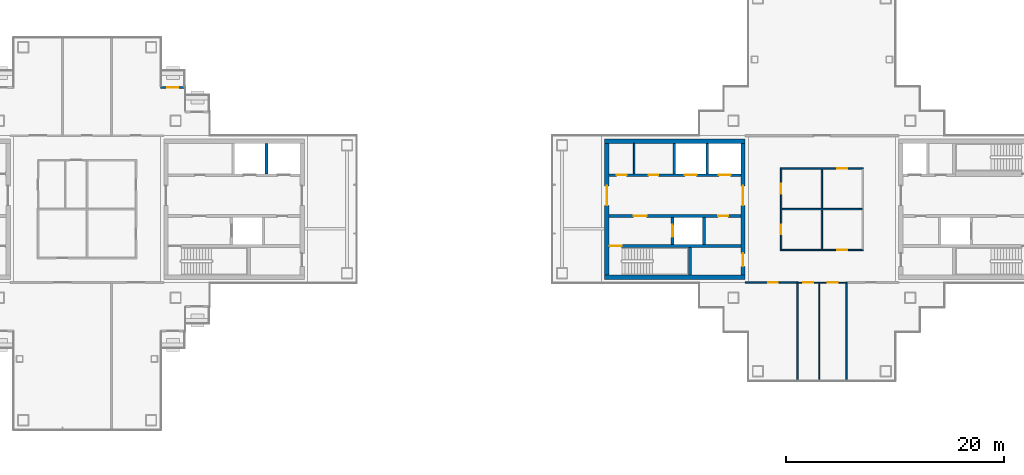
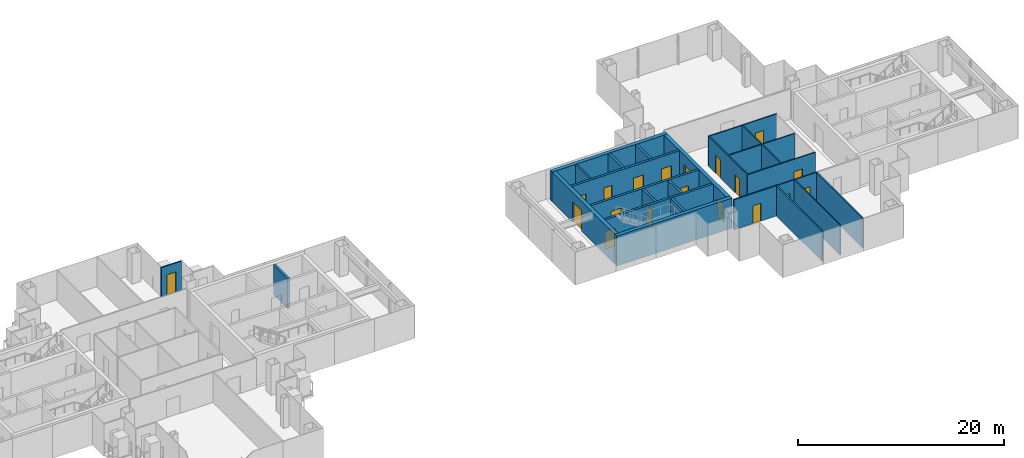
# One storey, part 10 of 15: 25 walls, 19 doors, 19 openings.
"""IFC4 building model written with IfcOpenShell, lengths in metres."""

from ifc_helpers import new_model, si_unit, direction, frame, frame_2d, origin, place, context, subcontext, project, spatial, rectangle, extrude, material, layer, layer_set, type_object, element, fill, save


model = new_model("IFC4")

# Units and contexts
model_context = context("Model", 3, precision=1e-05, world=origin(), true_north=direction((0.0, 1.0)))
body_context = subcontext(model_context, "Body", "Model", "MODEL_VIEW")
ifc_project = project(units=[si_unit("LENGTHUNIT", "METRE"), si_unit("AREAUNIT", "SQUARE_METRE"), si_unit("VOLUMEUNIT", "CUBIC_METRE"), si_unit("PLANEANGLEUNIT", "RADIAN"), si_unit("MASSUNIT", "GRAM", prefix="KILO")], contexts=[model_context])

# Site, building, storey
site_placement = place(None, origin())
site = spatial("IfcSite", under=ifc_project, at=site_placement, CompositionType="ELEMENT")
building_placement = place(site_placement, origin())
building = spatial("IfcBuilding", under=site, at=building_placement, Name="Shamsa Quay Exchange Towers", CompositionType="ELEMENT")
storey_placement = place(building_placement, frame((0.0, 0.0, 202.199951171875)))
storey = spatial("IfcBuildingStorey", under=building, at=storey_placement, Name="L48", CompositionType="ELEMENT", Elevation=202.199951171875)

# Wall, opening, door
ifc_material_1 = material(Name="Aluminium EN AW-6063 T6, black anodised, with black enamelled glass infill", Category="aluminium")
ifc_layer_1 = layer(ifc_material_1, 0.14990234375)
ifc_layer_set_1 = layer_set([ifc_layer_1], Name="BALCONY DOOR BAY WALL 150")
wall_type_1 = type_object("IfcWallType", Name="BALCONY DOOR BAY WALL 150", PredefinedType="SOLIDWALL", material=ifc_layer_set_1)
wall_1_placement = place(storey_placement, frame((-27.0, 11.175048828125, 0.0)))
wall_1 = element("IfcWall", 1, at=wall_1_placement, inside=storey, type_object=wall_type_1, Name="Door bay T1-PKEN L48", PredefinedType="SOLIDWALL", context=body_context, shape_type="SweptSolid", body=[
    extrude(rectangle(XDim=2.25, YDim=0.14990234375, at=frame_2d((1.125, 0.0))), origin(), (0.0, 0.0, 1.0), 3.449951171875),
])
opening_1_placement = place(wall_1_placement, frame((0.625, 0.0, 0.0)))
opening_1 = element("IfcOpeningElement", 2, at=opening_1_placement, cuts=wall_1, Name="Opening XD314", PredefinedType="OPENING", context=body_context, shape_type="SweptSolid", body=[
    extrude(rectangle(XDim=1.0, YDim=2.39990234375, at=frame_2d((0.5, 1.199951171875))), frame((0.0, 0.0849609375, 0.0), z_axis=(0.0, -1.0, 0.0), x_axis=(1.0, 0.0, 0.0)), (0.0, 0.0, 1.0), 0.169921875),
])
ifc_material_2 = material(Name="Aluminium EN AW-6063 T6, black anodised, with laminated glass leaf", Category="aluminium")
door_type_1 = type_object("IfcDoorType", Name="BALCONY DOOR 1000x2400", OperationType="SINGLE_SWING_LEFT", PredefinedType="DOOR", material=ifc_material_2)
door_1_placement = place(opening_1_placement, origin())
door_1 = element("IfcDoor", 3, at=door_1_placement, inside=storey, type_object=door_type_1, Name="Balcony door T1-PKEN L48", OperationType="SINGLE_SWING_LEFT", OverallHeight=2.39990234375, OverallWidth=1.0, PredefinedType="DOOR", context=body_context, shape_type="SweptSolid", body=[
    extrude(rectangle(XDim=1.0, YDim=2.39990234375, at=frame_2d((0.5, 1.199951171875))), frame((0.0, 0.02490234375, 0.0), z_axis=(0.0, -1.0, 0.0), x_axis=(1.0, 0.0, 0.0)), (0.0, 0.0, 1.0), 0.050048828125),
])
fill(opening_1, door_1)

# Walls
ifc_material_3 = material(Name="Concrete C60/75", Category="concrete")
ifc_layer_2 = layer(ifc_material_3, 0.39990234375)
ifc_layer_set_2 = layer_set([ifc_layer_2], Name="CORE WALL 400 C60/75")
wall_type_2 = type_object("IfcWallType", Name="CORE WALL 400 C60/75", PredefinedType="SHEAR", material=ifc_layer_set_2)
for number, where, name in (
    (4, (13.800048828125, -6.25, 0.0), "Core wall T2A-R22-PS"),
    (5, (13.800048828125, 6.25, 0.0), "Core wall T2A-R22-PN"),
):
    element("IfcWall", number, at=place(storey_placement, frame(where)), inside=storey, type_object=wall_type_2, Name=name, PredefinedType="SHEAR", context=body_context, shape_type="SweptSolid", body=[
        extrude(rectangle(XDim=12.89990234375, YDim=0.39990234375, at=frame_2d((6.449951171875, 0.0))), origin(), (0.0, 0.0, 1.0), 3.550048828125),
    ])

# Wall, opening, door
wall_2_placement = place(storey_placement, frame((14.0, 6.050048828125, 0.0), z_axis=(0.0, 0.0, 1.0), x_axis=(0.0, -1.0, 0.0)))
wall_2 = element("IfcWall", 6, at=wall_2_placement, inside=storey, type_object=wall_type_2, Name="Core wall T2A-R22-PF", PredefinedType="SHEAR", context=body_context, shape_type="SweptSolid", body=[
    extrude(rectangle(XDim=12.10009765625, YDim=0.39990234375, at=frame_2d((6.050048828125, 0.0))), origin(), (0.0, 0.0, 1.0), 3.550048828125),
])
opening_2_placement = place(wall_2_placement, frame((3.89990234375, 0.0, 0.0)))
opening_2 = element("IfcOpeningElement", 7, at=opening_2_placement, cuts=wall_2, Name="Opening T2A-R22-LBD01", PredefinedType="OPENING", context=body_context, shape_type="SweptSolid", body=[
    extrude(rectangle(XDim=1.800048828125, YDim=2.39990234375, at=frame_2d((0.89990234375, 1.199951171875))), frame((0.0, 0.2099609375, 0.0), z_axis=(0.0, -1.0, 0.0), x_axis=(1.0, 0.0, 0.0)), (0.0, 0.0, 1.0), 0.419921875),
])
ifc_material_4 = material(Name="Steel, fire rated", Category="steel")
door_type_2 = type_object("IfcDoorType", Name="LIFT LOBBY DOOR PAIR 1800", OperationType="DOUBLE_DOOR_SINGLE_SWING", PredefinedType="DOOR", material=ifc_material_4)
door_2_placement = place(opening_2_placement, origin())
door_2 = element("IfcDoor", 8, at=door_2_placement, inside=storey, type_object=door_type_2, Name="T2A-R22-LBD01", OperationType="DOUBLE_DOOR_SINGLE_SWING", OverallHeight=2.39990234375, OverallWidth=1.800048828125, PredefinedType="DOOR", context=body_context, shape_type="SweptSolid", body=[
    extrude(rectangle(XDim=1.800048828125, YDim=2.39990234375, at=frame_2d((0.89990234375, 1.199951171875))), frame((0.0, 0.02490234375, 0.0), z_axis=(0.0, -1.0, 0.0), x_axis=(1.0, 0.0, 0.0)), (0.0, 0.0, 1.0), 0.050048828125),
])
fill(opening_2, door_2)

# Wall, openings, doors
wall_3_placement = place(storey_placement, frame((26.5, 6.050048828125, 0.0), z_axis=(0.0, 0.0, 1.0), x_axis=(0.0, -1.0, 0.0)))
wall_3 = element("IfcWall", 9, at=wall_3_placement, inside=storey, type_object=wall_type_2, Name="Core wall T2A-R22-PB", PredefinedType="SHEAR", context=body_context, shape_type="SweptSolid", body=[
    extrude(rectangle(XDim=12.10009765625, YDim=0.39990234375, at=frame_2d((6.050048828125, 0.0))), origin(), (0.0, 0.0, 1.0), 3.550048828125),
])
opening_3_placement = place(wall_3_placement, frame((10.10009765625, 0.0, 0.0)))
opening_3 = element("IfcOpeningElement", 10, at=opening_3_placement, cuts=wall_3, Name="Opening T2A-R22-RD02", PredefinedType="OPENING", context=body_context, shape_type="SweptSolid", body=[
    extrude(rectangle(XDim=1.199951171875, YDim=2.10009765625, at=frame_2d((0.60009765625, 1.050048828125))), frame((0.0, 0.2099609375, 0.0), z_axis=(0.0, -1.0, 0.0), x_axis=(1.0, 0.0, 0.0)), (0.0, 0.0, 1.0), 0.419921875),
])
opening_4_placement = place(wall_3_placement, frame((3.89990234375, 0.0, 0.0)))
opening_4 = element("IfcOpeningElement", 11, at=opening_4_placement, cuts=wall_3, Name="Opening T2A-R22-LBD03", PredefinedType="OPENING", context=body_context, shape_type="SweptSolid", body=[
    extrude(rectangle(XDim=1.800048828125, YDim=2.39990234375, at=frame_2d((0.89990234375, 1.199951171875))), frame((0.0, 0.2099609375, 0.0), z_axis=(0.0, -1.0, 0.0), x_axis=(1.0, 0.0, 0.0)), (0.0, 0.0, 1.0), 0.419921875),
])
door_3_placement = place(opening_4_placement, origin())
door_3 = element("IfcDoor", 12, at=door_3_placement, inside=storey, type_object=door_type_2, Name="T2A-R22-LBD03", OperationType="DOUBLE_DOOR_SINGLE_SWING", OverallHeight=2.39990234375, OverallWidth=1.800048828125, PredefinedType="DOOR", context=body_context, shape_type="SweptSolid", body=[
    extrude(rectangle(XDim=1.800048828125, YDim=2.39990234375, at=frame_2d((0.89990234375, 1.199951171875))), frame((0.0, 0.02490234375, 0.0), z_axis=(0.0, -1.0, 0.0), x_axis=(1.0, 0.0, 0.0)), (0.0, 0.0, 1.0), 0.050048828125),
])
fill(opening_4, door_3)
door_type_3 = type_object("IfcDoorType", Name="RISER ACCESS DOOR 1200", OperationType="SINGLE_SWING_LEFT", PredefinedType="DOOR", material=ifc_material_4)
door_4_placement = place(opening_3_placement, origin())
door_4 = element("IfcDoor", 13, at=door_4_placement, inside=storey, type_object=door_type_3, Name="T2A-R22-RD02", OperationType="SINGLE_SWING_RIGHT", OverallHeight=2.10009765625, OverallWidth=1.199951171875, PredefinedType="DOOR", context=body_context, shape_type="SweptSolid", body=[
    extrude(rectangle(XDim=1.199951171875, YDim=2.10009765625, at=frame_2d((0.60009765625, 1.050048828125))), frame((0.0, 0.02490234375, 0.0), z_axis=(0.0, -1.0, 0.0), x_axis=(1.0, 0.0, 0.0)), (0.0, 0.0, 1.0), 0.050048828125),
])
fill(opening_3, door_4)

# Wall
ifc_material_5 = material(Name="Gypsum board on steel studs, EI 60", Category="steel")
ifc_layer_3 = layer(ifc_material_5, 0.14990234375)
ifc_layer_set_3 = layer_set([ifc_layer_3], Name="FIRE PARTITION 150")
wall_type_3 = type_object("IfcWallType", Name="FIRE PARTITION 150", PredefinedType="PARTITIONING", material=ifc_layer_set_3)
wall_4_placement = place(storey_placement, frame((16.5, 3.25, 0.0), z_axis=(0.0, 0.0, 1.0), x_axis=(0.0, 1.0, 0.0)))
element("IfcWall", 14, at=wall_4_placement, inside=storey, type_object=wall_type_3, Name="Partition T2A-R22-FC0", PredefinedType="PARTITIONING", context=body_context, shape_type="SweptSolid", body=[
    extrude(rectangle(XDim=2.800048828125, YDim=0.14990234375, at=frame_2d((1.39990234375, 0.0))), origin(), (0.0, 0.0, 1.0), 3.550048828125),
])

# Wall, openings, doors
ifc_material_6 = material(Name="Laminated fire-resisting glass in a metal frame", Category="glass")
ifc_layer_4 = layer(ifc_material_6, 0.125)
ifc_layer_set_4 = layer_set([ifc_layer_4], Name="Glazed partition 125 mm EI 60")
wall_type_4 = type_object("IfcWallType", Name="Glazed partition 125 mm EI 60", PredefinedType="PARTITIONING", material=ifc_layer_set_4)
wall_5_placement = place(storey_placement, frame((30.0, 3.6875, 0.0), z_axis=(0.0, 0.0, 1.0), x_axis=(0.0, -1.0, 0.0)))
wall_5 = element("IfcWall", 15, at=wall_5_placement, inside=storey, type_object=wall_type_4, Name="Partition T2-R22-W01", PredefinedType="PARTITIONING", context=body_context, shape_type="SweptSolid", body=[
    extrude(rectangle(XDim=7.375, YDim=0.125, at=frame_2d((3.6875, 0.0))), origin(), (0.0, 0.0, 1.0), 3.550048828125),
])
opening_5_placement = place(wall_5_placement, frame((5.112548828125, 0.0, 0.0)))
opening_5 = element("IfcOpeningElement", 16, at=opening_5_placement, cuts=wall_5, Name="Opening T2-R22-D06", PredefinedType="OPENING", context=body_context, shape_type="SweptSolid", body=[
    extrude(rectangle(XDim=0.89990234375, YDim=2.10009765625, at=frame_2d((0.449951171875, 1.050048828125))), frame((0.0, 0.072509765625, 0.0), z_axis=(0.0, -1.0, 0.0), x_axis=(1.0, 0.0, 0.0)), (0.0, 0.0, 1.0), 0.14501953125),
])
opening_6_placement = place(wall_5_placement, frame((1.362548828125, 0.0, 0.0)))
opening_6 = element("IfcOpeningElement", 17, at=opening_6_placement, cuts=wall_5, Name="Opening T2-R22-D07", PredefinedType="OPENING", context=body_context, shape_type="SweptSolid", body=[
    extrude(rectangle(XDim=0.89990234375, YDim=2.10009765625, at=frame_2d((0.449951171875, 1.050048828125))), frame((0.0, 0.072509765625, 0.0), z_axis=(0.0, -1.0, 0.0), x_axis=(1.0, 0.0, 0.0)), (0.0, 0.0, 1.0), 0.14501953125),
])
ifc_material_7 = material(Name="Timber door leaf in a metal frame", Category="wood")
door_type_4 = type_object("IfcDoorType", Name="Door 900x2100 FD30S", OperationType="NOTDEFINED", PredefinedType="DOOR", material=ifc_material_7)
door_5_placement = place(opening_5_placement, origin())
door_5 = element("IfcDoor", 18, at=door_5_placement, inside=storey, type_object=door_type_4, Name="Door T2-R22-D06", OperationType="SINGLE_SWING_LEFT", OverallHeight=2.10009765625, OverallWidth=0.89990234375, PredefinedType="DOOR", context=body_context, shape_type="SweptSolid", body=[
    extrude(rectangle(XDim=0.89990234375, YDim=2.10009765625, at=frame_2d((0.449951171875, 1.050048828125))), frame((0.0, 0.02490234375, 0.0), z_axis=(0.0, -1.0, 0.0), x_axis=(1.0, 0.0, 0.0)), (0.0, 0.0, 1.0), 0.050048828125),
])
fill(opening_5, door_5)
door_6_placement = place(opening_6_placement, origin())
door_6 = element("IfcDoor", 19, at=door_6_placement, inside=storey, type_object=door_type_4, Name="Door T2-R22-D07", OperationType="SINGLE_SWING_LEFT", OverallHeight=2.10009765625, OverallWidth=0.89990234375, PredefinedType="DOOR", context=body_context, shape_type="SweptSolid", body=[
    extrude(rectangle(XDim=0.89990234375, YDim=2.10009765625, at=frame_2d((0.449951171875, 1.050048828125))), frame((0.0, 0.02490234375, 0.0), z_axis=(0.0, -1.0, 0.0), x_axis=(1.0, 0.0, 0.0)), (0.0, 0.0, 1.0), 0.050048828125),
])
fill(opening_6, door_6)

# Wall, opening, door
wall_6_placement = place(storey_placement, frame((37.5625, 3.75, 0.0), z_axis=(0.0, 0.0, 1.0), x_axis=(-1.0, 0.0, 0.0)))
wall_6 = element("IfcWall", 20, at=wall_6_placement, inside=storey, type_object=wall_type_4, Name="Partition T2-R22-W02", PredefinedType="PARTITIONING", context=body_context, shape_type="SweptSolid", body=[
    extrude(rectangle(XDim=7.625, YDim=0.125, at=frame_2d((3.8125, 0.0))), origin(), (0.0, 0.0, 1.0), 3.550048828125),
])
opening_7_placement = place(wall_6_placement, frame((1.487548828125, 0.0, 0.0)))
opening_7 = element("IfcOpeningElement", 21, at=opening_7_placement, cuts=wall_6, Name="Opening T2-R22-D08", PredefinedType="OPENING", context=body_context, shape_type="SweptSolid", body=[
    extrude(rectangle(XDim=0.89990234375, YDim=2.10009765625, at=frame_2d((0.449951171875, 1.050048828125))), frame((0.0, 0.072509765625, 0.0), z_axis=(0.0, -1.0, 0.0), x_axis=(1.0, 0.0, 0.0)), (0.0, 0.0, 1.0), 0.14501953125),
])
door_7_placement = place(opening_7_placement, origin())
door_7 = element("IfcDoor", 22, at=door_7_placement, inside=storey, type_object=door_type_4, Name="Door T2-R22-D08", OperationType="SINGLE_SWING_LEFT", OverallHeight=2.10009765625, OverallWidth=0.89990234375, PredefinedType="DOOR", context=body_context, shape_type="SweptSolid", body=[
    extrude(rectangle(XDim=0.89990234375, YDim=2.10009765625, at=frame_2d((0.449951171875, 1.050048828125))), frame((0.0, 0.02490234375, 0.0), z_axis=(0.0, -1.0, 0.0), x_axis=(1.0, 0.0, 0.0)), (0.0, 0.0, 1.0), 0.050048828125),
])
fill(opening_7, door_7)

wall_7_placement = place(storey_placement, frame((29.9375, -3.75, 0.0)))
wall_7 = element("IfcWall", 23, at=wall_7_placement, inside=storey, type_object=wall_type_4, Name="Partition T2-R22-W03", PredefinedType="PARTITIONING", context=body_context, shape_type="SweptSolid", body=[
    extrude(rectangle(XDim=7.625, YDim=0.125, at=frame_2d((3.8125, 0.0))), origin(), (0.0, 0.0, 1.0), 3.550048828125),
])
opening_8_placement = place(wall_7_placement, frame((5.237548828125, 0.0, 0.0)))
opening_8 = element("IfcOpeningElement", 24, at=opening_8_placement, cuts=wall_7, Name="Opening T2-R22-D02", PredefinedType="OPENING", context=body_context, shape_type="SweptSolid", body=[
    extrude(rectangle(XDim=0.89990234375, YDim=2.10009765625, at=frame_2d((0.449951171875, 1.050048828125))), frame((0.0, 0.072509765625, 0.0), z_axis=(0.0, -1.0, 0.0), x_axis=(1.0, 0.0, 0.0)), (0.0, 0.0, 1.0), 0.14501953125),
])
door_8_placement = place(opening_8_placement, origin())
door_8 = element("IfcDoor", 25, at=door_8_placement, inside=storey, type_object=door_type_4, Name="Door T2-R22-D02", OperationType="SINGLE_SWING_RIGHT", OverallHeight=2.10009765625, OverallWidth=0.89990234375, PredefinedType="DOOR", context=body_context, shape_type="SweptSolid", body=[
    extrude(rectangle(XDim=0.89990234375, YDim=2.10009765625, at=frame_2d((0.449951171875, 1.050048828125))), frame((0.0, 0.02490234375, 0.0), z_axis=(0.0, -1.0, 0.0), x_axis=(1.0, 0.0, 0.0)), (0.0, 0.0, 1.0), 0.050048828125),
])
fill(opening_8, door_8)

# Walls
wall_8_placement = place(storey_placement, frame((30.0625, 0.0, 0.0)))
element("IfcWall", 26, at=wall_8_placement, inside=storey, type_object=wall_type_4, Name="Partition T2-R22-W09", PredefinedType="PARTITIONING", context=body_context, shape_type="SweptSolid", body=[
    extrude(rectangle(XDim=7.375, YDim=0.125, at=frame_2d((3.6875, 0.0))), origin(), (0.0, 0.0, 1.0), 3.550048828125),
])
wall_9_placement = place(storey_placement, frame((33.75, -3.6875, 0.0), z_axis=(0.0, 0.0, 1.0), x_axis=(0.0, 1.0, 0.0)))
element("IfcWall", 27, at=wall_9_placement, inside=storey, type_object=wall_type_4, Name="Partition T2-R22-W10", PredefinedType="PARTITIONING", context=body_context, shape_type="SweptSolid", body=[
    extrude(rectangle(XDim=7.375, YDim=0.125, at=frame_2d((3.6875, 0.0))), origin(), (0.0, 0.0, 1.0), 3.550048828125),
])

# Wall, openings, doors
ifc_material_8 = material(Name="Gypsum board partition on metal studs")
ifc_layer_5 = layer(ifc_material_8, 0.10009765625)
ifc_layer_set_5 = layer_set([ifc_layer_5], Name="Partition 100 mm NOT RATED")
wall_type_5 = type_object("IfcWallType", Name="Partition 100 mm NOT RATED", PredefinedType="PARTITIONING", material=ifc_layer_set_5)
wall_10_placement = place(storey_placement, frame((36.074951171875, -6.75, 0.0), z_axis=(0.0, 0.0, 1.0), x_axis=(-1.0, 0.0, 0.0)))
wall_10 = element("IfcWall", 28, at=wall_10_placement, inside=storey, type_object=wall_type_5, Name="Partition T2-R22-W08", PredefinedType="PARTITIONING", context=body_context, shape_type="SweptSolid", body=[
    extrude(rectangle(XDim=4.64990234375, YDim=0.10009765625, at=frame_2d((2.324951171875, 0.0))), origin(), (0.0, 0.0, 1.0), 3.550048828125),
])
opening_9_placement = place(wall_10_placement, frame((3.125, 0.0, 0.0)))
opening_9 = element("IfcOpeningElement", 29, at=opening_9_placement, cuts=wall_10, Name="Opening T2-R22-D04", PredefinedType="OPENING", context=body_context, shape_type="SweptSolid", body=[
    extrude(rectangle(XDim=0.89990234375, YDim=2.10009765625, at=frame_2d((0.449951171875, 1.050048828125))), frame((0.0, 0.06005859375, 0.0), z_axis=(0.0, -1.0, 0.0), x_axis=(1.0, 0.0, 0.0)), (0.0, 0.0, 1.0), 0.1201171875),
])
opening_10_placement = place(wall_10_placement, frame((0.875, 0.0, 0.0)))
opening_10 = element("IfcOpeningElement", 30, at=opening_10_placement, cuts=wall_10, Name="Opening T2-R22-D05", PredefinedType="OPENING", context=body_context, shape_type="SweptSolid", body=[
    extrude(rectangle(XDim=0.89990234375, YDim=2.10009765625, at=frame_2d((0.449951171875, 1.050048828125))), frame((0.0, 0.06005859375, 0.0), z_axis=(0.0, -1.0, 0.0), x_axis=(1.0, 0.0, 0.0)), (0.0, 0.0, 1.0), 0.1201171875),
])
door_type_5 = type_object("IfcDoorType", Name="Door 900x2100 NOT RATED", OperationType="NOTDEFINED", PredefinedType="DOOR", material=ifc_material_7)
door_9_placement = place(opening_9_placement, origin())
door_9 = element("IfcDoor", 31, at=door_9_placement, inside=storey, type_object=door_type_5, Name="Door T2-R22-D04", OperationType="SINGLE_SWING_RIGHT", OverallHeight=2.10009765625, OverallWidth=0.89990234375, PredefinedType="DOOR", context=body_context, shape_type="SweptSolid", body=[
    extrude(rectangle(XDim=0.89990234375, YDim=2.10009765625, at=frame_2d((0.449951171875, 1.050048828125))), frame((0.0, 0.02490234375, 0.0), z_axis=(0.0, -1.0, 0.0), x_axis=(1.0, 0.0, 0.0)), (0.0, 0.0, 1.0), 0.050048828125),
])
fill(opening_9, door_9)
door_10_placement = place(opening_10_placement, origin())
door_10 = element("IfcDoor", 32, at=door_10_placement, inside=storey, type_object=door_type_5, Name="Door T2-R22-D05", OperationType="SINGLE_SWING_LEFT", OverallHeight=2.10009765625, OverallWidth=0.89990234375, PredefinedType="DOOR", context=body_context, shape_type="SweptSolid", body=[
    extrude(rectangle(XDim=0.89990234375, YDim=2.10009765625, at=frame_2d((0.449951171875, 1.050048828125))), frame((0.0, 0.02490234375, 0.0), z_axis=(0.0, -1.0, 0.0), x_axis=(1.0, 0.0, 0.0)), (0.0, 0.0, 1.0), 0.050048828125),
])
fill(opening_10, door_10)

# Wall
wall_11_placement = place(storey_placement, frame((33.5, -6.800048828125, 0.0), z_axis=(0.0, 0.0, 1.0), x_axis=(0.0, -1.0, 0.0)))
element("IfcWall", 33, at=wall_11_placement, inside=storey, type_object=wall_type_5, Name="Partition T2-R22-W12", PredefinedType="PARTITIONING", context=body_context, shape_type="SweptSolid", body=[
    extrude(rectangle(XDim=8.85498046875, YDim=0.10009765625, at=frame_2d((4.427490234375, 0.0))), origin(), (0.0, 0.0, 1.0), 3.550048828125),
])

# Wall, opening, door
ifc_layer_6 = layer(ifc_material_8, 0.14990234375)
ifc_layer_set_6 = layer_set([ifc_layer_6], Name="Partition 150 mm EI 60")
wall_type_6 = type_object("IfcWallType", Name="Partition 150 mm EI 60", PredefinedType="PARTITIONING", material=ifc_layer_set_6)
wall_12_placement = place(storey_placement, frame((31.574951171875, -6.75, 0.0), z_axis=(0.0, 0.0, 1.0), x_axis=(-1.0, 0.0, 0.0)))
wall_12 = element("IfcWall", 34, at=wall_12_placement, inside=storey, type_object=wall_type_6, Name="Partition T2-R22-W06", PredefinedType="PARTITIONING", context=body_context, shape_type="SweptSolid", body=[
    extrude(rectangle(XDim=4.875, YDim=0.14990234375, at=frame_2d((2.4375, 0.0))), origin(), (0.0, 0.0, 1.0), 3.550048828125),
])
opening_11_placement = place(wall_12_placement, frame((1.875, 0.0, 0.0)))
opening_11 = element("IfcOpeningElement", 35, at=opening_11_placement, cuts=wall_12, Name="Opening T2-R22-D09", PredefinedType="OPENING", context=body_context, shape_type="SweptSolid", body=[
    extrude(rectangle(XDim=0.89990234375, YDim=2.10009765625, at=frame_2d((0.449951171875, 1.050048828125))), frame((0.0, 0.0849609375, 0.0), z_axis=(0.0, -1.0, 0.0), x_axis=(1.0, 0.0, 0.0)), (0.0, 0.0, 1.0), 0.169921875),
])
door_11_placement = place(opening_11_placement, origin())
door_11 = element("IfcDoor", 36, at=door_11_placement, inside=storey, type_object=door_type_4, Name="Door T2-R22-D09", OperationType="SINGLE_SWING_LEFT", OverallHeight=2.10009765625, OverallWidth=0.89990234375, PredefinedType="DOOR", context=body_context, shape_type="SweptSolid", body=[
    extrude(rectangle(XDim=0.89990234375, YDim=2.10009765625, at=frame_2d((0.449951171875, 1.050048828125))), frame((0.0, 0.02490234375, 0.0), z_axis=(0.0, -1.0, 0.0), x_axis=(1.0, 0.0, 0.0)), (0.0, 0.0, 1.0), 0.050048828125),
])
fill(opening_11, door_11)

# Walls
for number, where, z_axis, x_axis, name in (
    (37, (36.0, -6.824951171875, 0.0), (0.0, 0.0, 1.0), (0.0, -1.0, 0.0), "Partition T2-R22-W11"),
    (38, (31.5, -6.824951171875, 0.0), (0.0, 0.0, 1.0), (0.0, -1.0, 0.0), "Partition T2-R22-W13"),
):
    element("IfcWall", number, at=place(storey_placement, frame(where, z_axis=z_axis, x_axis=x_axis)), inside=storey, type_object=wall_type_6, Name=name, PredefinedType="PARTITIONING", context=body_context, shape_type="SweptSolid", body=[
        extrude(rectangle(XDim=8.830078125, YDim=0.14990234375, at=frame_2d((4.4150390625, 0.0))), origin(), (0.0, 0.0, 1.0), 3.550048828125),
    ])
ifc_material_9 = material(Name="Concrete C50/60", Category="concrete")
ifc_layer_7 = layer(ifc_material_9, 0.25)
ifc_layer_set_7 = layer_set([ifc_layer_7], Name="SHAFT WALL 250 C50/60")
wall_type_7 = type_object("IfcWallType", Name="SHAFT WALL 250 C50/60", PredefinedType="SHEAR", material=ifc_layer_set_7)
wall_13_placement = place(storey_placement, frame((-17.27490234375, 3.25, 0.0), z_axis=(0.0, 0.0, 1.0), x_axis=(0.0, 1.0, 0.0)))
element("IfcWall", 39, at=wall_13_placement, inside=storey, type_object=wall_type_7, Name="Shaft wall T1A-R22-D2", PredefinedType="SHEAR", context=body_context, shape_type="SweptSolid", body=[
    extrude(rectangle(XDim=2.800048828125, YDim=0.25, at=frame_2d((1.39990234375, 0.0))), origin(), (0.0, 0.0, 1.0), 3.550048828125),
])

# Wall, opening, door
wall_14_placement = place(storey_placement, frame((26.300048828125, -3.375, 0.0), z_axis=(0.0, 0.0, 1.0), x_axis=(-1.0, 0.0, 0.0)))
wall_14 = element("IfcWall", 40, at=wall_14_placement, inside=storey, type_object=wall_type_7, Name="Shaft wall T2A-R22-STL", PredefinedType="SHEAR", context=body_context, shape_type="SweptSolid", body=[
    extrude(rectangle(XDim=12.10009765625, YDim=0.25, at=frame_2d((6.050048828125, 0.0))), origin(), (0.0, 0.0, 1.0), 3.550048828125),
])
opening_12_placement = place(wall_14_placement, frame((10.949951171875, 0.0, 0.0)))
opening_12 = element("IfcOpeningElement", 41, at=opening_12_placement, cuts=wall_14, Name="Opening T2A-R22-SD04", PredefinedType="OPENING", context=body_context, shape_type="SweptSolid", body=[
    extrude(rectangle(XDim=1.10009765625, YDim=2.10009765625, at=frame_2d((0.550048828125, 1.050048828125))), frame((0.0, 0.135009765625, 0.0), z_axis=(0.0, -1.0, 0.0), x_axis=(1.0, 0.0, 0.0)), (0.0, 0.0, 1.0), 0.27001953125),
])
door_type_6 = type_object("IfcDoorType", Name="STAIR DOOR 1100", OperationType="SINGLE_SWING_LEFT", PredefinedType="DOOR", material=ifc_material_4)
door_12_placement = place(opening_12_placement, origin())
door_12 = element("IfcDoor", 42, at=door_12_placement, inside=storey, type_object=door_type_6, Name="T2A-R22-SD04", OperationType="SINGLE_SWING_RIGHT", OverallHeight=2.10009765625, OverallWidth=1.10009765625, PredefinedType="DOOR", context=body_context, shape_type="SweptSolid", body=[
    extrude(rectangle(XDim=1.10009765625, YDim=2.10009765625, at=frame_2d((0.550048828125, 1.050048828125))), frame((0.0, 0.02490234375, 0.0), z_axis=(0.0, -1.0, 0.0), x_axis=(1.0, 0.0, 0.0)), (0.0, 0.0, 1.0), 0.050048828125),
])
fill(opening_12, door_12)

# Wall
wall_15_placement = place(storey_placement, frame((21.625, -6.050048828125, 0.0), z_axis=(0.0, 0.0, 1.0), x_axis=(0.0, 1.0, 0.0)))
element("IfcWall", 43, at=wall_15_placement, inside=storey, type_object=wall_type_7, Name="Shaft wall T2A-R22-STF", PredefinedType="SHEAR", context=body_context, shape_type="SweptSolid", body=[
    extrude(rectangle(XDim=2.550048828125, YDim=0.25, at=frame_2d((1.27490234375, 0.0))), origin(), (0.0, 0.0, 1.0), 3.550048828125),
])

# Wall, openings, doors
wall_16_placement = place(storey_placement, frame((26.300048828125, -0.625, 0.0), z_axis=(0.0, 0.0, 1.0), x_axis=(-1.0, 0.0, 0.0)))
wall_16 = element("IfcWall", 44, at=wall_16_placement, inside=storey, type_object=wall_type_7, Name="Shaft wall T2A-R22-B", PredefinedType="SHEAR", context=body_context, shape_type="SweptSolid", body=[
    extrude(rectangle(XDim=12.10009765625, YDim=0.25, at=frame_2d((6.050048828125, 0.0))), origin(), (0.0, 0.0, 1.0), 3.550048828125),
])
opening_13_placement = place(wall_16_placement, frame((8.64990234375, 0.0, 0.0)))
opening_13 = element("IfcOpeningElement", 45, at=opening_13_placement, cuts=wall_16, Name="Opening T2A-R22-FD05", PredefinedType="OPENING", context=body_context, shape_type="SweptSolid", body=[
    extrude(rectangle(XDim=1.199951171875, YDim=2.10009765625, at=frame_2d((0.60009765625, 1.050048828125))), frame((0.0, 0.135009765625, 0.0), z_axis=(0.0, -1.0, 0.0), x_axis=(1.0, 0.0, 0.0)), (0.0, 0.0, 1.0), 0.27001953125),
])
opening_14_placement = place(wall_16_placement, frame((1.175048828125, 0.0, 0.0)))
opening_14 = element("IfcOpeningElement", 46, at=opening_14_placement, cuts=wall_16, Name="Opening T2A-R22-SV06", PredefinedType="OPENING", context=body_context, shape_type="SweptSolid", body=[
    extrude(rectangle(XDim=0.89990234375, YDim=2.10009765625, at=frame_2d((0.449951171875, 1.050048828125))), frame((0.0, 0.135009765625, 0.0), z_axis=(0.0, -1.0, 0.0), x_axis=(1.0, 0.0, 0.0)), (0.0, 0.0, 1.0), 0.27001953125),
])
door_type_7 = type_object("IfcDoorType", Name="FIRE SERVICE LOBBY DOOR 1200", OperationType="SINGLE_SWING_LEFT", PredefinedType="DOOR", material=ifc_material_4)
door_13_placement = place(opening_13_placement, origin())
door_13 = element("IfcDoor", 47, at=door_13_placement, inside=storey, type_object=door_type_7, Name="T2A-R22-FD05", OperationType="SINGLE_SWING_RIGHT", OverallHeight=2.10009765625, OverallWidth=1.199951171875, PredefinedType="DOOR", context=body_context, shape_type="SweptSolid", body=[
    extrude(rectangle(XDim=1.199951171875, YDim=2.10009765625, at=frame_2d((0.60009765625, 1.050048828125))), frame((0.0, 0.02490234375, 0.0), z_axis=(0.0, -1.0, 0.0), x_axis=(1.0, 0.0, 0.0)), (0.0, 0.0, 1.0), 0.050048828125),
])
fill(opening_13, door_13)
door_type_8 = type_object("IfcDoorType", Name="SERVICE ROOM DOOR 900", OperationType="SINGLE_SWING_LEFT", PredefinedType="DOOR", material=ifc_material_4)
door_14_placement = place(opening_14_placement, origin())
door_14 = element("IfcDoor", 48, at=door_14_placement, inside=storey, type_object=door_type_8, Name="T2A-R22-SV06", OperationType="SINGLE_SWING_LEFT", OverallHeight=2.10009765625, OverallWidth=0.89990234375, PredefinedType="DOOR", context=body_context, shape_type="SweptSolid", body=[
    extrude(rectangle(XDim=0.89990234375, YDim=2.10009765625, at=frame_2d((0.449951171875, 1.050048828125))), frame((0.0, 0.02490234375, 0.0), z_axis=(0.0, -1.0, 0.0), x_axis=(1.0, 0.0, 0.0)), (0.0, 0.0, 1.0), 0.050048828125),
])
fill(opening_14, door_14)

# Wall, opening, door
wall_17_placement = place(storey_placement, frame((20.02490234375, -3.25, 0.0), z_axis=(0.0, 0.0, 1.0), x_axis=(0.0, 1.0, 0.0)))
wall_17 = element("IfcWall", 49, at=wall_17_placement, inside=storey, type_object=wall_type_7, Name="Shaft wall T2A-R22-FFF", PredefinedType="SHEAR", context=body_context, shape_type="SweptSolid", body=[
    extrude(rectangle(XDim=2.5, YDim=0.25, at=frame_2d((1.25, 0.0))), origin(), (0.0, 0.0, 1.0), 3.550048828125),
])
opening_15_placement = place(wall_17_placement, frame((0.699951171875, 0.0, 0.0)))
opening_15 = element("IfcOpeningElement", 50, at=opening_15_placement, cuts=wall_17, Name="Opening T2A-R22-LDF07", PredefinedType="OPENING", context=body_context, shape_type="SweptSolid", body=[
    extrude(rectangle(XDim=1.10009765625, YDim=2.10009765625, at=frame_2d((0.550048828125, 1.050048828125))), frame((0.0, 0.135009765625, 0.0), z_axis=(0.0, -1.0, 0.0), x_axis=(1.0, 0.0, 0.0)), (0.0, 0.0, 1.0), 0.27001953125),
])
door_type_9 = type_object("IfcDoorType", Name="FIRE SERVICE LANDING DOOR 1100", OperationType="SLIDING_TO_LEFT", PredefinedType="DOOR", material=ifc_material_4)
door_15_placement = place(opening_15_placement, origin())
door_15 = element("IfcDoor", 51, at=door_15_placement, inside=storey, type_object=door_type_9, Name="T2A-R22-LDF07", OperationType="SLIDING_TO_LEFT", OverallHeight=2.10009765625, OverallWidth=1.10009765625, PredefinedType="DOOR", context=body_context, shape_type="SweptSolid", body=[
    extrude(rectangle(XDim=1.10009765625, YDim=2.10009765625, at=frame_2d((0.550048828125, 1.050048828125))), frame((0.0, 0.02490234375, 0.0), z_axis=(0.0, -1.0, 0.0), x_axis=(1.0, 0.0, 0.0)), (0.0, 0.0, 1.0), 0.050048828125),
])
fill(opening_15, door_15)

# Wall
wall_18_placement = place(storey_placement, frame((22.925048828125, -3.25, 0.0), z_axis=(0.0, 0.0, 1.0), x_axis=(0.0, 1.0, 0.0)))
element("IfcWall", 52, at=wall_18_placement, inside=storey, type_object=wall_type_7, Name="Shaft wall T2A-R22-FFB", PredefinedType="SHEAR", context=body_context, shape_type="SweptSolid", body=[
    extrude(rectangle(XDim=2.5, YDim=0.25, at=frame_2d((1.25, 0.0))), origin(), (0.0, 0.0, 1.0), 3.550048828125),
])

# Wall, openings, doors
wall_19_placement = place(storey_placement, frame((14.199951171875, 3.125, 0.0)))
wall_19 = element("IfcWall", 53, at=wall_19_placement, inside=storey, type_object=wall_type_7, Name="Shaft wall T2A-R22-N", PredefinedType="SHEAR", context=body_context, shape_type="SweptSolid", body=[
    extrude(rectangle(XDim=12.10009765625, YDim=0.25, at=frame_2d((6.050048828125, 0.0))), origin(), (0.0, 0.0, 1.0), 3.550048828125),
])
opening_16_placement = place(wall_19_placement, frame((6.949951171875, 0.0, 0.0)))
opening_16 = element("IfcOpeningElement", 54, at=opening_16_placement, cuts=wall_19, Name="Opening T2A-R22-LD08", PredefinedType="OPENING", context=body_context, shape_type="SweptSolid", body=[
    extrude(rectangle(XDim=1.10009765625, YDim=2.10009765625, at=frame_2d((0.550048828125, 1.050048828125))), frame((0.0, 0.135009765625, 0.0), z_axis=(0.0, -1.0, 0.0), x_axis=(1.0, 0.0, 0.0)), (0.0, 0.0, 1.0), 0.27001953125),
])
opening_17_placement = place(wall_19_placement, frame((10.074951171875, 0.0, 0.0)))
opening_17 = element("IfcOpeningElement", 55, at=opening_17_placement, cuts=wall_19, Name="Opening T2A-R22-LD09", PredefinedType="OPENING", context=body_context, shape_type="SweptSolid", body=[
    extrude(rectangle(XDim=1.10009765625, YDim=2.10009765625, at=frame_2d((0.550048828125, 1.050048828125))), frame((0.0, 0.135009765625, 0.0), z_axis=(0.0, -1.0, 0.0), x_axis=(1.0, 0.0, 0.0)), (0.0, 0.0, 1.0), 0.27001953125),
])
opening_18_placement = place(wall_19_placement, frame((0.699951171875, 0.0, 0.0)))
opening_18 = element("IfcOpeningElement", 56, at=opening_18_placement, cuts=wall_19, Name="Opening T2A-R22-SV10", PredefinedType="OPENING", context=body_context, shape_type="SweptSolid", body=[
    extrude(rectangle(XDim=0.89990234375, YDim=2.10009765625, at=frame_2d((0.449951171875, 1.050048828125))), frame((0.0, 0.135009765625, 0.0), z_axis=(0.0, -1.0, 0.0), x_axis=(1.0, 0.0, 0.0)), (0.0, 0.0, 1.0), 0.27001953125),
])
opening_19_placement = place(wall_19_placement, frame((3.625, 0.0, 0.0)))
opening_19 = element("IfcOpeningElement", 57, at=opening_19_placement, cuts=wall_19, Name="Opening T2A-R22-SV11", PredefinedType="OPENING", context=body_context, shape_type="SweptSolid", body=[
    extrude(rectangle(XDim=0.89990234375, YDim=2.10009765625, at=frame_2d((0.449951171875, 1.050048828125))), frame((0.0, 0.135009765625, 0.0), z_axis=(0.0, -1.0, 0.0), x_axis=(1.0, 0.0, 0.0)), (0.0, 0.0, 1.0), 0.27001953125),
])
door_type_10 = type_object("IfcDoorType", Name="LANDING DOOR 1100", OperationType="SLIDING_TO_LEFT", PredefinedType="DOOR", material=ifc_material_4)
door_16_placement = place(opening_16_placement, origin())
door_16 = element("IfcDoor", 58, at=door_16_placement, inside=storey, type_object=door_type_10, Name="T2A-R22-LD08", OperationType="SLIDING_TO_LEFT", OverallHeight=2.10009765625, OverallWidth=1.10009765625, PredefinedType="DOOR", context=body_context, shape_type="SweptSolid", body=[
    extrude(rectangle(XDim=1.10009765625, YDim=2.10009765625, at=frame_2d((0.550048828125, 1.050048828125))), frame((0.0, 0.02490234375, 0.0), z_axis=(0.0, -1.0, 0.0), x_axis=(1.0, 0.0, 0.0)), (0.0, 0.0, 1.0), 0.050048828125),
])
fill(opening_16, door_16)
door_17_placement = place(opening_17_placement, origin())
door_17 = element("IfcDoor", 59, at=door_17_placement, inside=storey, type_object=door_type_10, Name="T2A-R22-LD09", OperationType="SLIDING_TO_LEFT", OverallHeight=2.10009765625, OverallWidth=1.10009765625, PredefinedType="DOOR", context=body_context, shape_type="SweptSolid", body=[
    extrude(rectangle(XDim=1.10009765625, YDim=2.10009765625, at=frame_2d((0.550048828125, 1.050048828125))), frame((0.0, 0.02490234375, 0.0), z_axis=(0.0, -1.0, 0.0), x_axis=(1.0, 0.0, 0.0)), (0.0, 0.0, 1.0), 0.050048828125),
])
fill(opening_17, door_17)
door_18_placement = place(opening_18_placement, origin())
door_18 = element("IfcDoor", 60, at=door_18_placement, inside=storey, type_object=door_type_8, Name="T2A-R22-SV10", OperationType="SINGLE_SWING_LEFT", OverallHeight=2.10009765625, OverallWidth=0.89990234375, PredefinedType="DOOR", context=body_context, shape_type="SweptSolid", body=[
    extrude(rectangle(XDim=0.89990234375, YDim=2.10009765625, at=frame_2d((0.449951171875, 1.050048828125))), frame((0.0, 0.02490234375, 0.0), z_axis=(0.0, -1.0, 0.0), x_axis=(1.0, 0.0, 0.0)), (0.0, 0.0, 1.0), 0.050048828125),
])
fill(opening_18, door_18)
door_19_placement = place(opening_19_placement, origin())
door_19 = element("IfcDoor", 61, at=door_19_placement, inside=storey, type_object=door_type_8, Name="T2A-R22-SV11", OperationType="SINGLE_SWING_LEFT", OverallHeight=2.10009765625, OverallWidth=0.89990234375, PredefinedType="DOOR", context=body_context, shape_type="SweptSolid", body=[
    extrude(rectangle(XDim=0.89990234375, YDim=2.10009765625, at=frame_2d((0.449951171875, 1.050048828125))), frame((0.0, 0.02490234375, 0.0), z_axis=(0.0, -1.0, 0.0), x_axis=(1.0, 0.0, 0.0)), (0.0, 0.0, 1.0), 0.050048828125),
])
fill(opening_19, door_19)

# Walls
for number, where, z_axis, x_axis, name in (
    (62, (20.175048828125, 3.25, 0.0), (0.0, 0.0, 1.0), (0.0, 1.0, 0.0), "Shaft wall T2A-R22-D1"),
    (63, (23.22509765625, 3.25, 0.0), (0.0, 0.0, 1.0), (0.0, 1.0, 0.0), "Shaft wall T2A-R22-D2"),
):
    element("IfcWall", number, at=place(storey_placement, frame(where, z_axis=z_axis, x_axis=x_axis)), inside=storey, type_object=wall_type_7, Name=name, PredefinedType="SHEAR", context=body_context, shape_type="SweptSolid", body=[
        extrude(rectangle(XDim=2.800048828125, YDim=0.25, at=frame_2d((1.39990234375, 0.0))), origin(), (0.0, 0.0, 1.0), 3.550048828125),
    ])

save(model, "model.ifc")
